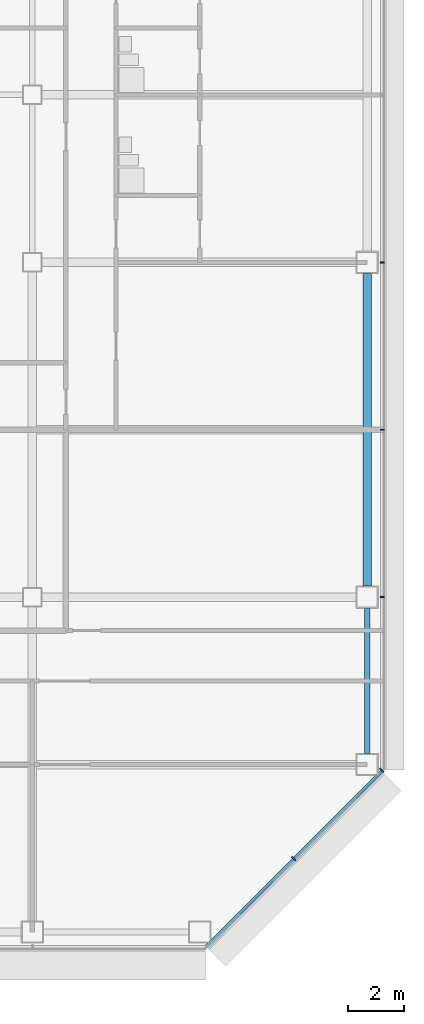
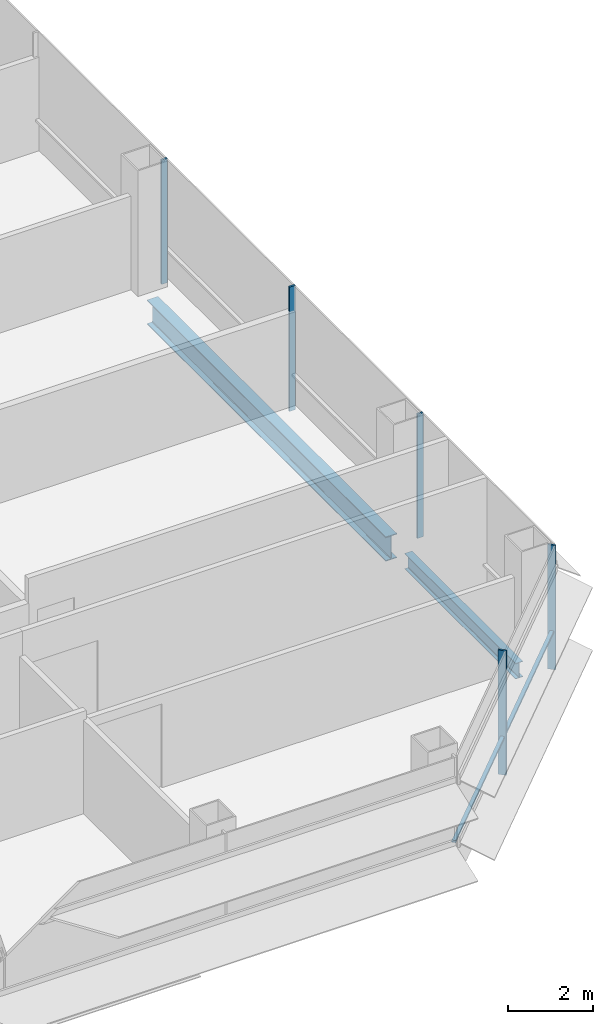
# One storey, part 15 of 26: 6 members, 2 beams, 2 elements without a shape of their own.
"""IFC4 building model written with IfcOpenShell, lengths in metres."""

from ifc_helpers import new_model, si_unit, direction, frame, origin, origin_2d, place, context, subcontext, project, spatial, rectangle, i_section, extrude, material, material_profile, profile_set, type_object, element, aggregate, save


model = new_model("IFC4")

# Units and contexts
model_context = context("Model", 3, precision=1e-05, world=origin(), true_north=direction((0.0, 1.0)))
body_context = subcontext(model_context, "Body", "Model", "MODEL_VIEW")
ifc_project = project(units=[si_unit("LENGTHUNIT", "METRE"), si_unit("AREAUNIT", "SQUARE_METRE"), si_unit("VOLUMEUNIT", "CUBIC_METRE"), si_unit("PLANEANGLEUNIT", "RADIAN"), si_unit("MASSUNIT", "GRAM", prefix="KILO")], contexts=[model_context])

# Site, building, storey
site_placement = place(None, origin())
site = spatial("IfcSite", under=ifc_project, at=site_placement, CompositionType="ELEMENT")
building_placement = place(site_placement, origin())
building = spatial("IfcBuilding", under=site, at=building_placement, Name="Sorahane Residences", CompositionType="ELEMENT")
storey_placement = place(building_placement, frame((0.0, 0.0, 110.60009765625)))
storey = spatial("IfcBuildingStorey", under=building, at=storey_placement, Name="L24", CompositionType="ELEMENT", Elevation=110.60009765625)

# Curtain wall, members
ifc_material_1 = material(Name="Dark low-e glass and black anodised aluminium", Category="aluminium")
curtain_wall_type_1 = type_object("IfcCurtainWallType", Name="Curtain wall CW-1 Typical unitised wall", PredefinedType="NOTDEFINED", material=ifc_material_1)
curtain_wall_1_placement = place(storey_placement, origin())
curtain_wall_1 = element("IfcCurtainWall", 1, at=curtain_wall_1_placement, inside=storey, type_object=curtain_wall_type_1, Name="CW-1 curtain wall L24 E1", PredefinedType="NOTDEFINED")
ifc_material_2 = material(Name="Black anodised aluminium", Category="aluminium")
ifc_material_profile_1 = material_profile(ifc_material_2, rectangle(XDim=0.159912109375, YDim=0.050048828125, at=origin_2d()), Name="Curtain wall mullion CW-1 black anodised aluminium 50x160")
ifc_profile_set_1 = profile_set([ifc_material_profile_1], Name="Black anodised aluminium")
member_type_1 = type_object("IfcMemberType", Name="Curtain wall mullion CW-1 black anodised aluminium 50x160", PredefinedType="MULLION", material=ifc_profile_set_1)
member_1_placement = place(storey_placement, frame((60.5400390625, 12.0, -0.18017578125), z_axis=(0.0, 0.0, 1.0), x_axis=(1.0, 0.0, 0.0)))
member_1 = element("IfcMember", 2, at=member_1_placement, type_object=member_type_1, Name="CW-1 mullion L24 E1.2", PredefinedType="MULLION", context=body_context, shape_type="SweptSolid", body=[
    extrude(rectangle(XDim=0.159912109375, YDim=0.050048828125, at=origin_2d()), origin(), (0.0, 0.0, 1.0), 3.56005859375),
])
member_2_placement = place(storey_placement, frame((60.5400390625, 18.0, -0.18017578125), z_axis=(0.0, 0.0, 1.0), x_axis=(1.0, 0.0, 0.0)))
member_2 = element("IfcMember", 3, at=member_2_placement, type_object=member_type_1, Name="CW-1 mullion L24 E1.3", PredefinedType="MULLION", context=body_context, shape_type="SweptSolid", body=[
    extrude(rectangle(XDim=0.159912109375, YDim=0.050048828125, at=origin_2d()), origin(), (0.0, 0.0, 1.0), 3.56005859375),
])
member_3_placement = place(storey_placement, frame((60.5400390625, 24.0, -0.18017578125), z_axis=(0.0, 0.0, 1.0), x_axis=(1.0, 0.0, 0.0)))
member_3 = element("IfcMember", 4, at=member_3_placement, type_object=member_type_1, Name="CW-1 mullion L24 E1.4", PredefinedType="MULLION", context=body_context, shape_type="SweptSolid", body=[
    extrude(rectangle(XDim=0.159912109375, YDim=0.050048828125, at=origin_2d()), origin(), (0.0, 0.0, 1.0), 3.56005859375),
])
aggregate(curtain_wall_1, [member_1, member_2, member_3])

ifc_material_3 = material(Name="Dark low-e glass and black anodised aluminium", Category="aluminium")
curtain_wall_type_2 = type_object("IfcCurtainWallType", Name="Curtain wall CW-2 Chamfer unitised wall", PredefinedType="NOTDEFINED", material=ifc_material_3)
curtain_wall_2_placement = place(storey_placement, origin())
curtain_wall_2 = element("IfcCurtainWall", 5, at=curtain_wall_2_placement, inside=storey, type_object=curtain_wall_type_2, Name="CW-2 curtain wall L24 SE1", PredefinedType="NOTDEFINED")
ifc_material_4 = material(Name="Black anodised aluminium", Category="aluminium")
ifc_material_profile_2 = material_profile(ifc_material_4, rectangle(XDim=0.199951171875, YDim=0.050048828125, at=origin_2d()), Name="Curtain wall mullion CW-2 black anodised aluminium 50x200")
ifc_profile_set_2 = profile_set([ifc_material_profile_2], Name="Black anodised aluminium")
member_type_2 = type_object("IfcMemberType", Name="Curtain wall mullion CW-2 black anodised aluminium 50x200", PredefinedType="MULLION", material=ifc_profile_set_2)
member_4_placement = place(storey_placement, frame((57.36767578125, 2.63232421875, -0.18017578125), z_axis=(0.0, 0.0, 1.0), x_axis=(0.707106781187, -0.707106781187, 0.0)))
member_4 = element("IfcMember", 6, at=member_4_placement, type_object=member_type_2, Name="CW-2 mullion L24 SE1.2", PredefinedType="MULLION", context=body_context, shape_type="SweptSolid", body=[
    extrude(rectangle(XDim=0.199951171875, YDim=0.050048828125, at=origin_2d()), origin(), (0.0, 0.0, 1.0), 3.56005859375),
])
member_5_placement = place(storey_placement, frame((60.525634765625, 5.790283203125, -0.18017578125), z_axis=(0.0, 0.0, 1.0), x_axis=(0.707106781187, -0.707106781187, 0.0)))
member_5 = element("IfcMember", 7, at=member_5_placement, type_object=member_type_2, Name="CW-2 mullion L24 SE1.3", PredefinedType="MULLION", context=body_context, shape_type="SweptSolid", body=[
    extrude(rectangle(XDim=0.199951171875, YDim=0.050048828125, at=origin_2d()), origin(), (0.0, 0.0, 1.0), 3.56005859375),
])
ifc_material_5 = material(Name="Black anodised aluminium", Category="aluminium")
ifc_material_profile_3 = material_profile(ifc_material_5, rectangle(XDim=0.10009765625, YDim=0.06005859375, at=origin_2d()), Name="Curtain wall transom CW-2 black anodised aluminium 60x100")
ifc_profile_set_3 = profile_set([ifc_material_profile_3], Name="Black anodised aluminium")
member_type_3 = type_object("IfcMemberType", Name="Curtain wall transom CW-2 black anodised aluminium 60x100", PredefinedType="USERDEFINED", material=ifc_profile_set_3)
member_6_placement = place(storey_placement, frame((54.234375, -0.51513671875, 0.89990234375), z_axis=(0.707106781187, 0.707106781187, 0.0), x_axis=(-0.707106781187, 0.707106781187, 0.0)))
member_6 = element("IfcMember", 8, at=member_6_placement, type_object=member_type_3, Name="CW-2 transom L24 SE1", ObjectType="TRANSOM", PredefinedType="USERDEFINED", context=body_context, shape_type="SweptSolid", body=[
    extrude(rectangle(XDim=0.10009765625, YDim=0.06005859375, at=origin_2d()), origin(), (0.0, 0.0, 1.0), 8.88232421875),
])
aggregate(curtain_wall_2, [member_4, member_5, member_6])

# Beams
ifc_material_6 = material(Name="Steel Q355B", Category="steel")
ifc_material_profile_4 = material_profile(ifc_material_6, i_section(OverallWidth=0.199951171875, OverallDepth=0.449951171875, WebThickness=0.009033203125, FlangeThickness=0.013916015625, FilletRadius=0.02001953125, at=origin_2d()), Name="HN 450x200x9x14")
ifc_profile_set_4 = profile_set([ifc_material_profile_4], Name="Steel Q355B")
beam_type_1 = type_object("IfcBeamType", Name="Steel floor beam HN 450x200x9x14 Q355B", PredefinedType="BEAM", material=ifc_profile_set_4)
beam_1_placement = place(storey_placement, frame((60.0, 6.39990234375, -0.405029296875), z_axis=(0.0, 1.0, 0.0), x_axis=(-1.0, 0.0, 0.0)))
element("IfcBeam", 9, at=beam_1_placement, inside=storey, type_object=beam_type_1, Name="Beam L24 064", PredefinedType="BEAM", context=body_context, shape_type="SweptSolid", body=[
    extrude(i_section(OverallWidth=0.199951171875, OverallDepth=0.449951171875, WebThickness=0.009033203125, FlangeThickness=0.013916015625, FilletRadius=0.02001953125, at=origin_2d()), origin(), (0.0, 0.0, 1.0), 5.2001953125),
])
ifc_material_7 = material(Name="Steel Q355B", Category="steel")
ifc_material_profile_5 = material_profile(ifc_material_7, i_section(OverallWidth=0.300048828125, OverallDepth=0.699951171875, WebThickness=0.012939453125, FlangeThickness=0.02392578125, FilletRadius=0.028076171875, at=origin_2d()), Name="HN 700x300x13x24")
ifc_profile_set_5 = profile_set([ifc_material_profile_5], Name="Steel Q355B")
beam_type_2 = type_object("IfcBeamType", Name="Steel floor beam HN 700x300x13x24 Q355B", PredefinedType="BEAM", material=ifc_profile_set_5)
beam_2_placement = place(storey_placement, frame((60.0, 12.39990234375, -0.530029296875), z_axis=(0.0, 1.0, 0.0), x_axis=(-1.0, 0.0, 0.0)))
element("IfcBeam", 10, at=beam_2_placement, inside=storey, type_object=beam_type_2, Name="Beam L24 065", PredefinedType="BEAM", context=body_context, shape_type="SweptSolid", body=[
    extrude(i_section(OverallWidth=0.300048828125, OverallDepth=0.699951171875, WebThickness=0.012939453125, FlangeThickness=0.02392578125, FilletRadius=0.028076171875, at=origin_2d()), origin(), (0.0, 0.0, 1.0), 11.2001953125),
])

save(model, "model.ifc")
